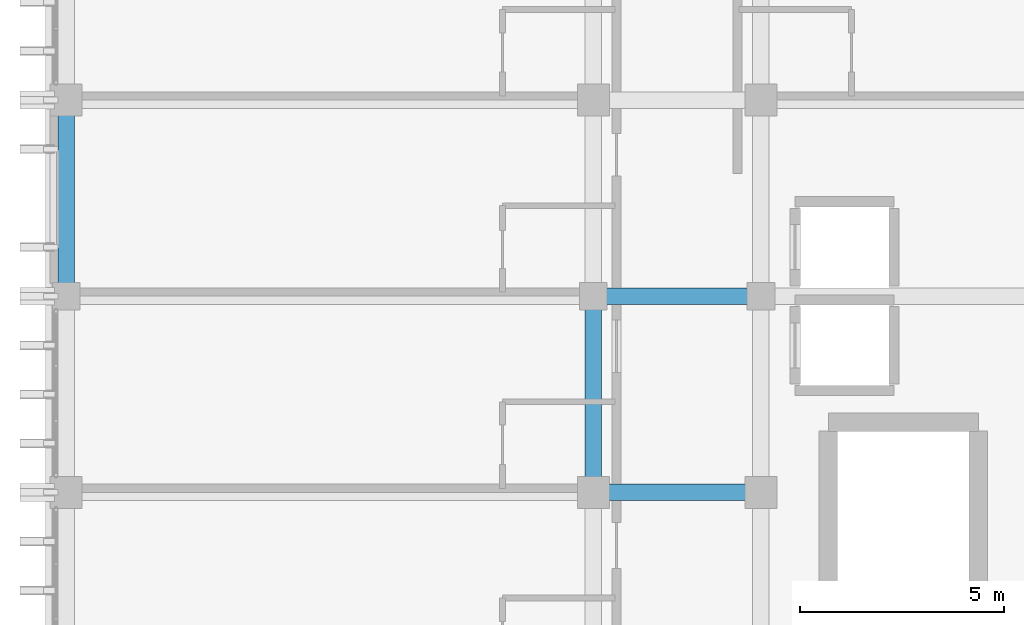
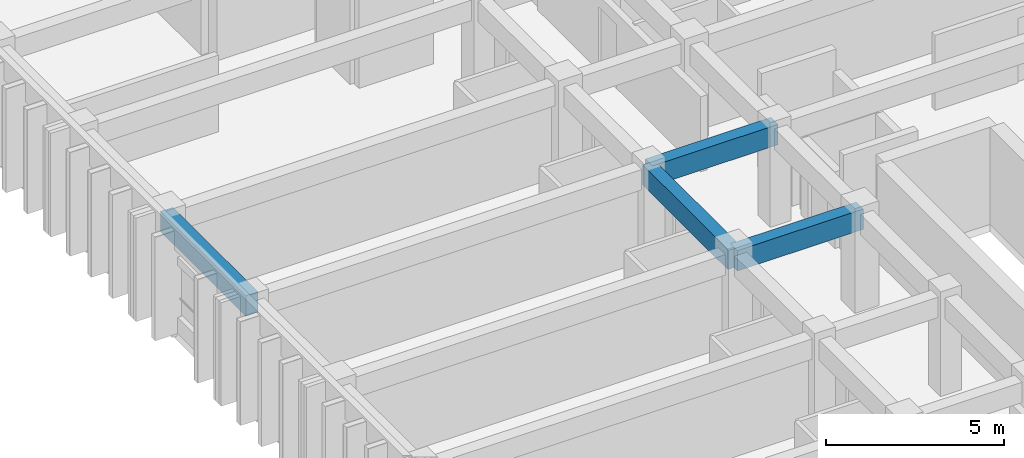
# One storey, part 19 of 68: 4 beams.
"""IFC4 building model written with IfcOpenShell, lengths in metres."""

from ifc_helpers import new_model, si_unit, direction, frame, origin, origin_2d, place, context, subcontext, project, spatial, rectangle, extrude, material, material_profile, profile_set, type_object, element, save


model = new_model("IFC4")

# Units and contexts
model_context = context("Model", 3, precision=1e-05, world=origin(), true_north=direction((0.0, 1.0)))
body_context = subcontext(model_context, "Body", "Model", "MODEL_VIEW")
ifc_project = project(units=[si_unit("LENGTHUNIT", "METRE"), si_unit("AREAUNIT", "SQUARE_METRE"), si_unit("VOLUMEUNIT", "CUBIC_METRE"), si_unit("PLANEANGLEUNIT", "RADIAN"), si_unit("MASSUNIT", "GRAM", prefix="KILO")], contexts=[model_context])

# Site, building, storey
site_placement = place(None, origin())
site = spatial("IfcSite", under=ifc_project, at=site_placement, CompositionType="ELEMENT")
building_placement = place(site_placement, origin())
building = spatial("IfcBuilding", under=site, at=building_placement, Name="Nakhvara Creek Congress Hotel", CompositionType="ELEMENT")
storey_placement = place(building_placement, frame((0.0, 0.0, 24.60009765625)))
storey = spatial("IfcBuildingStorey", under=building, at=storey_placement, Name="L05", CompositionType="ELEMENT", Elevation=24.60009765625)

# Beams
ifc_material = material(Name="Concrete C40/50", Category="concrete")
ifc_material_profile = material_profile(ifc_material, rectangle(XDim=0.39990234375, YDim=0.699951171875, at=origin_2d()), Name="RC-BM 400x700", Category="LoadBearing")
ifc_profile_set = profile_set([ifc_material_profile], Name="Concrete C40/50")
beam_type = type_object("IfcBeamType", Name="BM-RC-400X700", PredefinedType="BEAM", material=ifc_profile_set)
beam_1_placement = place(storey_placement, frame((149.449951171875, 62.39990234375, 2.989990234375), z_axis=(0.0, 1.0, 0.0), x_axis=(-1.0, 0.0, 0.0)))
element("IfcBeam", 1, at=beam_1_placement, inside=storey, type_object=beam_type, Name="Beam B05-L05-2070", PredefinedType="BEAM", context=body_context, shape_type="SweptSolid", body=[
    extrude(rectangle(XDim=0.39990234375, YDim=0.699951171875, at=origin_2d()), origin(), (0.0, 0.0, 1.0), 4.800048828125),
])
beam_2_placement = place(storey_placement, frame((162.35009765625, 57.60009765625, 2.989990234375), z_axis=(1.0, 0.0, 0.0), x_axis=(0.0, 1.0, 0.0)))
element("IfcBeam", 2, at=beam_2_placement, inside=storey, type_object=beam_type, Name="Beam B05-L05-2095", PredefinedType="BEAM", context=body_context, shape_type="SweptSolid", body=[
    extrude(rectangle(XDim=0.39990234375, YDim=0.699951171875, at=origin_2d()), origin(), (0.0, 0.0, 1.0), 4.099853515625),
])
beam_3_placement = place(storey_placement, frame((162.35009765625, 57.60009765625, 2.989990234375), z_axis=(0.0, 1.0, 0.0), x_axis=(-1.0, 0.0, 0.0)))
element("IfcBeam", 3, at=beam_3_placement, inside=storey, type_object=beam_type, Name="Beam B05-L05-2097", PredefinedType="BEAM", context=body_context, shape_type="SweptSolid", body=[
    extrude(rectangle(XDim=0.39990234375, YDim=0.699951171875, at=origin_2d()), origin(), (0.0, 0.0, 1.0), 4.7998046875),
])
beam_4_placement = place(storey_placement, frame((162.35009765625, 62.39990234375, 2.989990234375), z_axis=(1.0, 0.0, 0.0), x_axis=(0.0, 1.0, 0.0)))
element("IfcBeam", 4, at=beam_4_placement, inside=storey, type_object=beam_type, Name="Beam B05-L05-2178", PredefinedType="BEAM", context=body_context, shape_type="SweptSolid", body=[
    extrude(rectangle(XDim=0.39990234375, YDim=0.699951171875, at=origin_2d()), origin(), (0.0, 0.0, 1.0), 4.099853515625),
])

save(model, "model.ifc")
